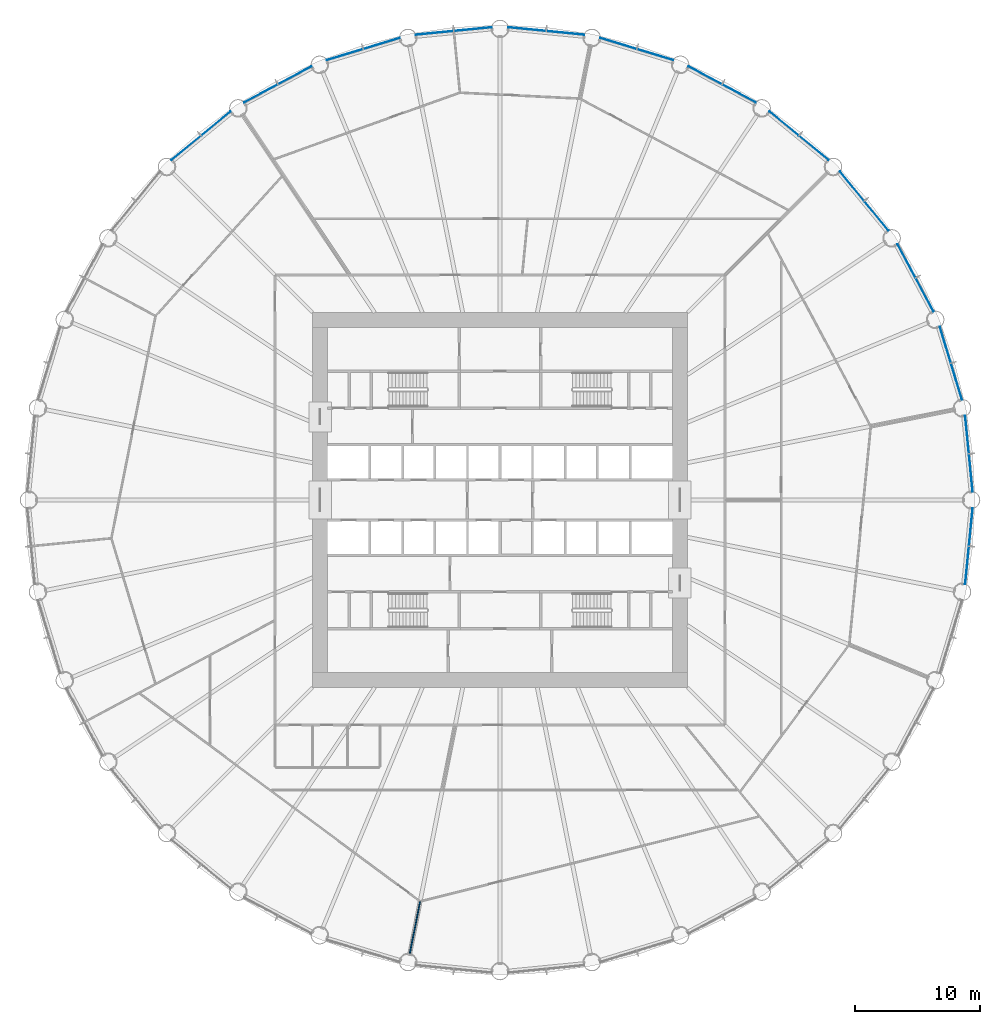
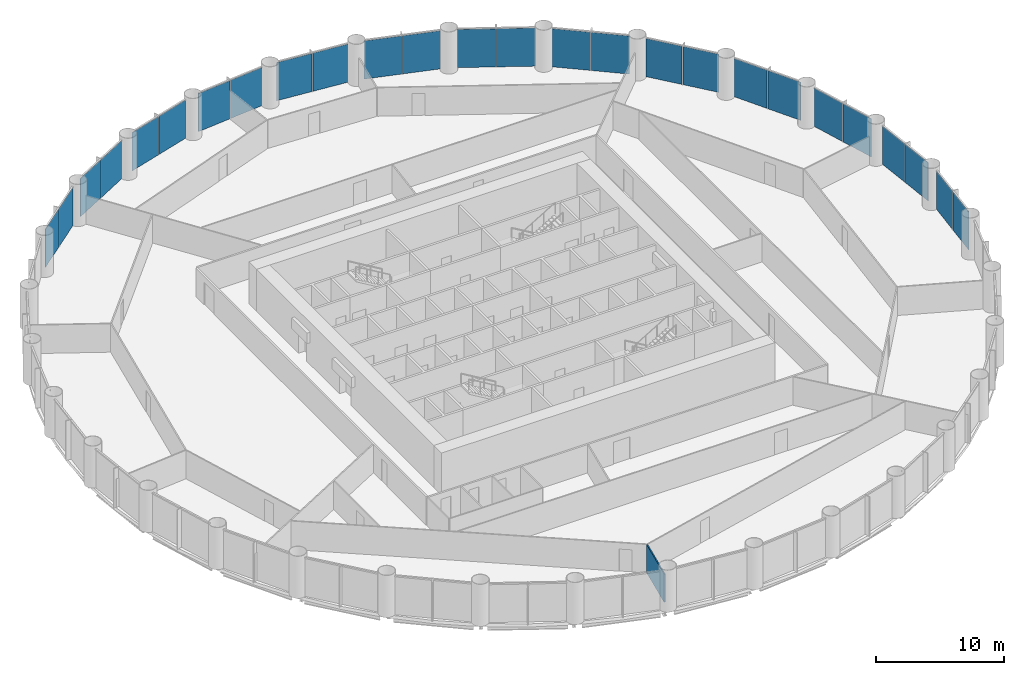
# One storey, part 9 of 15: 26 plates, 1 wall, 13 elements without a shape of their own.
"""IFC4 building model written with IfcOpenShell, lengths in metres."""

from ifc_helpers import new_model, si_unit, direction, frame, frame_2d, origin, origin_2d, place, context, subcontext, project, spatial, rectangle, extrude, material, layer, layer_set, type_object, element, aggregate, save


model = new_model("IFC4")

# Units and contexts
model_context = context("Model", 3, precision=1e-05, world=origin(), true_north=direction((0.0, 1.0)))
body_context = subcontext(model_context, "Body", "Model", "MODEL_VIEW")
ifc_project = project(units=[si_unit("LENGTHUNIT", "METRE"), si_unit("AREAUNIT", "SQUARE_METRE"), si_unit("VOLUMEUNIT", "CUBIC_METRE"), si_unit("PLANEANGLEUNIT", "RADIAN"), si_unit("MASSUNIT", "GRAM", prefix="KILO")], contexts=[model_context])

# Site, building, storey
site_placement = place(None, origin())
site = spatial("IfcSite", under=ifc_project, at=site_placement, CompositionType="ELEMENT")
building_placement = place(site_placement, origin())
building = spatial("IfcBuilding", under=site, at=building_placement, Name="Corvane Civic Tower", CompositionType="ELEMENT")
storey_placement = place(building_placement, frame((0.0, 0.0, 45.0)))
storey = spatial("IfcBuildingStorey", under=building, at=storey_placement, Name="L09", CompositionType="ELEMENT", Elevation=45.0)

# Curtain wall, plates
ifc_material_1 = material(Name="Anodised aluminium bronze", Category="aluminium")
curtain_wall_type = type_object("IfcCurtainWallType", Name="TOWER CW-T1 STICK CURTAIN WALL", PredefinedType="NOTDEFINED", material=ifc_material_1)
curtain_wall_1_placement = place(storey_placement, origin())
curtain_wall_1 = element("IfcCurtainWall", 1, at=curtain_wall_1_placement, inside=storey, type_object=curtain_wall_type, Name="Curtain wall CW-T1 L09 bay 01", PredefinedType="NOTDEFINED")
ifc_material_2 = material(Name="Tinted glass", Category="glass")
ifc_layer_1 = layer(ifc_material_2, 0.035888671875)
ifc_layer_set_1 = layer_set([ifc_layer_1], Name="Tinted glass")
plate_type = type_object("IfcPlateType", Name="TOWER CW-T1 PANEL IGU36", PredefinedType="CURTAIN_PANEL", material=ifc_layer_set_1)
plate_1_placement = place(storey_placement, frame((2.158203125, 37.667236328125, 0.0), z_axis=(0.0, 0.0, 1.0), x_axis=(0.995185800248, -0.098006239521, 0.0)))
plate_1 = element("IfcPlate", 2, at=plate_1_placement, type_object=plate_type, Name="Glass panel CW-T1 L09 01.1", PredefinedType="CURTAIN_PANEL", context=body_context, shape_type="SweptSolid", body=[
    extrude(rectangle(XDim=3.008544921875, YDim=0.035888671875, at=origin_2d()), origin(), (0.0, 0.0, 1.0), 3.6298828125),
])
plate_2_placement = place(storey_placement, frame((5.23193359375, 37.36474609375, 0.0), z_axis=(0.0, 0.0, 1.0), x_axis=(0.995185800248, -0.098006239521, 0.0)))
plate_2 = element("IfcPlate", 3, at=plate_2_placement, type_object=plate_type, Name="Glass panel CW-T1 L09 01.2", PredefinedType="CURTAIN_PANEL", context=body_context, shape_type="SweptSolid", body=[
    extrude(rectangle(XDim=3.008544921875, YDim=0.035888671875, at=origin_2d()), origin(), (0.0, 0.0, 1.0), 3.6298828125),
])
aggregate(curtain_wall_1, [plate_1, plate_2])

curtain_wall_2_placement = place(storey_placement, origin())
curtain_wall_2 = element("IfcCurtainWall", 4, at=curtain_wall_2_placement, inside=storey, type_object=curtain_wall_type, Name="Curtain wall CW-T1 L09 bay 02", PredefinedType="NOTDEFINED")
plate_3_placement = place(storey_placement, frame((9.46533203125, 36.522705078125, 0.0), z_axis=(0.0, 0.0, 1.0), x_axis=(0.956942240606, -0.290278397654, 0.0)))
plate_3 = element("IfcPlate", 5, at=plate_3_placement, type_object=plate_type, Name="Glass panel CW-T1 L09 02.1", PredefinedType="CURTAIN_PANEL", context=body_context, shape_type="SweptSolid", body=[
    extrude(rectangle(XDim=3.008544921875, YDim=0.035888671875, at=origin_2d()), origin(), (0.0, 0.0, 1.0), 3.6298828125),
])
plate_4_placement = place(storey_placement, frame((12.4208984375, 35.6259765625, 0.0), z_axis=(0.0, 0.0, 1.0), x_axis=(0.956942240606, -0.290278397654, 0.0)))
plate_4 = element("IfcPlate", 6, at=plate_4_placement, type_object=plate_type, Name="Glass panel CW-T1 L09 02.2", PredefinedType="CURTAIN_PANEL", context=body_context, shape_type="SweptSolid", body=[
    extrude(rectangle(XDim=3.008544921875, YDim=0.035888671875, at=origin_2d()), origin(), (0.0, 0.0, 1.0), 3.6298828125),
])
aggregate(curtain_wall_2, [plate_3, plate_4])

curtain_wall_3_placement = place(storey_placement, origin())
curtain_wall_3 = element("IfcCurtainWall", 7, at=curtain_wall_3_placement, inside=storey, type_object=curtain_wall_type, Name="Curtain wall CW-T1 L09 bay 03", PredefinedType="NOTDEFINED")
plate_5_placement = place(storey_placement, frame((16.40869140625, 33.974365234375, 0.0), z_axis=(0.0, 0.0, 1.0), x_axis=(0.881917528864, -0.471403725359, 0.0)))
plate_5 = element("IfcPlate", 8, at=plate_5_placement, type_object=plate_type, Name="Glass panel CW-T1 L09 03.1", PredefinedType="CURTAIN_PANEL", context=body_context, shape_type="SweptSolid", body=[
    extrude(rectangle(XDim=3.008544921875, YDim=0.035888671875, at=origin_2d()), origin(), (0.0, 0.0, 1.0), 3.6298828125),
])
plate_6_placement = place(storey_placement, frame((19.132568359375, 32.518310546875, 0.0), z_axis=(0.0, 0.0, 1.0), x_axis=(0.881917528864, -0.471403725359, 0.0)))
plate_6 = element("IfcPlate", 9, at=plate_6_placement, type_object=plate_type, Name="Glass panel CW-T1 L09 03.2", PredefinedType="CURTAIN_PANEL", context=body_context, shape_type="SweptSolid", body=[
    extrude(rectangle(XDim=3.008544921875, YDim=0.035888671875, at=origin_2d()), origin(), (0.0, 0.0, 1.0), 3.6298828125),
])
aggregate(curtain_wall_3, [plate_5, plate_6])

curtain_wall_4_placement = place(storey_placement, origin())
curtain_wall_4 = element("IfcCurtainWall", 10, at=curtain_wall_4_placement, inside=storey, type_object=curtain_wall_type, Name="Curtain wall CW-T1 L09 bay 04", PredefinedType="NOTDEFINED")
plate_7_placement = place(storey_placement, frame((22.721435546875, 30.120361328125, 0.0), z_axis=(0.0, 0.0, 1.0), x_axis=(0.773007224463, -0.634397218569, 0.0)))
plate_7 = element("IfcPlate", 11, at=plate_7_placement, type_object=plate_type, Name="Glass panel CW-T1 L09 04.1", PredefinedType="CURTAIN_PANEL", context=body_context, shape_type="SweptSolid", body=[
    extrude(rectangle(XDim=3.008544921875, YDim=0.035888671875, at=origin_2d()), origin(), (0.0, 0.0, 1.0), 3.6298828125),
])
plate_8_placement = place(storey_placement, frame((25.10888671875, 28.160888671875, 0.0), z_axis=(0.0, 0.0, 1.0), x_axis=(0.773007224463, -0.634397218569, 0.0)))
plate_8 = element("IfcPlate", 12, at=plate_8_placement, type_object=plate_type, Name="Glass panel CW-T1 L09 04.2", PredefinedType="CURTAIN_PANEL", context=body_context, shape_type="SweptSolid", body=[
    extrude(rectangle(XDim=3.008544921875, YDim=0.035888671875, at=origin_2d()), origin(), (0.0, 0.0, 1.0), 3.6298828125),
])
aggregate(curtain_wall_4, [plate_7, plate_8])

curtain_wall_5_placement = place(storey_placement, origin())
curtain_wall_5 = element("IfcCurtainWall", 13, at=curtain_wall_5_placement, inside=storey, type_object=curtain_wall_type, Name="Curtain wall CW-T1 L09 bay 05", PredefinedType="NOTDEFINED")
plate_9_placement = place(storey_placement, frame((28.160888671875, 25.10888671875, 0.0), z_axis=(0.0, 0.0, 1.0), x_axis=(0.634397218569, -0.773007224463, 0.0)))
plate_9 = element("IfcPlate", 14, at=plate_9_placement, type_object=plate_type, Name="Glass panel CW-T1 L09 05.1", PredefinedType="CURTAIN_PANEL", context=body_context, shape_type="SweptSolid", body=[
    extrude(rectangle(XDim=3.008544921875, YDim=0.035888671875, at=origin_2d()), origin(), (0.0, 0.0, 1.0), 3.6298828125),
])
plate_10_placement = place(storey_placement, frame((30.120361328125, 22.721435546875, 0.0), z_axis=(0.0, 0.0, 1.0), x_axis=(0.634397218569, -0.773007224463, 0.0)))
plate_10 = element("IfcPlate", 15, at=plate_10_placement, type_object=plate_type, Name="Glass panel CW-T1 L09 05.2", PredefinedType="CURTAIN_PANEL", context=body_context, shape_type="SweptSolid", body=[
    extrude(rectangle(XDim=3.008544921875, YDim=0.035888671875, at=origin_2d()), origin(), (0.0, 0.0, 1.0), 3.6298828125),
])
aggregate(curtain_wall_5, [plate_9, plate_10])

curtain_wall_6_placement = place(storey_placement, origin())
curtain_wall_6 = element("IfcCurtainWall", 16, at=curtain_wall_6_placement, inside=storey, type_object=curtain_wall_type, Name="Curtain wall CW-T1 L09 bay 06", PredefinedType="NOTDEFINED")
plate_11_placement = place(storey_placement, frame((32.518310546875, 19.132568359375, 0.0), z_axis=(0.0, 0.0, 1.0), x_axis=(0.471403725359, -0.881917528864, 0.0)))
plate_11 = element("IfcPlate", 17, at=plate_11_placement, type_object=plate_type, Name="Glass panel CW-T1 L09 06.1", PredefinedType="CURTAIN_PANEL", context=body_context, shape_type="SweptSolid", body=[
    extrude(rectangle(XDim=3.008544921875, YDim=0.035888671875, at=origin_2d()), origin(), (0.0, 0.0, 1.0), 3.6298828125),
])
plate_12_placement = place(storey_placement, frame((33.974365234375, 16.40869140625, 0.0), z_axis=(0.0, 0.0, 1.0), x_axis=(0.471403725359, -0.881917528864, 0.0)))
plate_12 = element("IfcPlate", 18, at=plate_12_placement, type_object=plate_type, Name="Glass panel CW-T1 L09 06.2", PredefinedType="CURTAIN_PANEL", context=body_context, shape_type="SweptSolid", body=[
    extrude(rectangle(XDim=3.008544921875, YDim=0.035888671875, at=origin_2d()), origin(), (0.0, 0.0, 1.0), 3.6298828125),
])
aggregate(curtain_wall_6, [plate_11, plate_12])

curtain_wall_7_placement = place(storey_placement, origin())
curtain_wall_7 = element("IfcCurtainWall", 19, at=curtain_wall_7_placement, inside=storey, type_object=curtain_wall_type, Name="Curtain wall CW-T1 L09 bay 07", PredefinedType="NOTDEFINED")
plate_13_placement = place(storey_placement, frame((35.6259765625, 12.4208984375, 0.0), z_axis=(0.0, 0.0, 1.0), x_axis=(0.290278397654, -0.956942240606, 0.0)))
plate_13 = element("IfcPlate", 20, at=plate_13_placement, type_object=plate_type, Name="Glass panel CW-T1 L09 07.1", PredefinedType="CURTAIN_PANEL", context=body_context, shape_type="SweptSolid", body=[
    extrude(rectangle(XDim=3.008544921875, YDim=0.035888671875, at=origin_2d()), origin(), (0.0, 0.0, 1.0), 3.6298828125),
])
plate_14_placement = place(storey_placement, frame((36.522705078125, 9.46533203125, 0.0), z_axis=(0.0, 0.0, 1.0), x_axis=(0.290278397654, -0.956942240606, 0.0)))
plate_14 = element("IfcPlate", 21, at=plate_14_placement, type_object=plate_type, Name="Glass panel CW-T1 L09 07.2", PredefinedType="CURTAIN_PANEL", context=body_context, shape_type="SweptSolid", body=[
    extrude(rectangle(XDim=3.008544921875, YDim=0.035888671875, at=origin_2d()), origin(), (0.0, 0.0, 1.0), 3.6298828125),
])
aggregate(curtain_wall_7, [plate_13, plate_14])

curtain_wall_8_placement = place(storey_placement, origin())
curtain_wall_8 = element("IfcCurtainWall", 22, at=curtain_wall_8_placement, inside=storey, type_object=curtain_wall_type, Name="Curtain wall CW-T1 L09 bay 08", PredefinedType="NOTDEFINED")
plate_15_placement = place(storey_placement, frame((37.36474609375, 5.23193359375, 0.0), z_axis=(0.0, 0.0, 1.0), x_axis=(0.098006239521, -0.995185800248, 0.0)))
plate_15 = element("IfcPlate", 23, at=plate_15_placement, type_object=plate_type, Name="Glass panel CW-T1 L09 08.1", PredefinedType="CURTAIN_PANEL", context=body_context, shape_type="SweptSolid", body=[
    extrude(rectangle(XDim=3.008544921875, YDim=0.035888671875, at=origin_2d()), origin(), (0.0, 0.0, 1.0), 3.6298828125),
])
plate_16_placement = place(storey_placement, frame((37.667236328125, 2.158203125, 0.0), z_axis=(0.0, 0.0, 1.0), x_axis=(0.098006239521, -0.995185800248, 0.0)))
plate_16 = element("IfcPlate", 24, at=plate_16_placement, type_object=plate_type, Name="Glass panel CW-T1 L09 08.2", PredefinedType="CURTAIN_PANEL", context=body_context, shape_type="SweptSolid", body=[
    extrude(rectangle(XDim=3.008544921875, YDim=0.035888671875, at=origin_2d()), origin(), (0.0, 0.0, 1.0), 3.6298828125),
])
aggregate(curtain_wall_8, [plate_15, plate_16])

curtain_wall_9_placement = place(storey_placement, origin())
curtain_wall_9 = element("IfcCurtainWall", 25, at=curtain_wall_9_placement, inside=storey, type_object=curtain_wall_type, Name="Curtain wall CW-T1 L09 bay 09", PredefinedType="NOTDEFINED")
plate_17_placement = place(storey_placement, frame((37.667236328125, -2.158203125, 0.0), z_axis=(0.0, 0.0, 1.0), x_axis=(-0.098006239521, -0.995185800248, 0.0)))
plate_17 = element("IfcPlate", 26, at=plate_17_placement, type_object=plate_type, Name="Glass panel CW-T1 L09 09.1", PredefinedType="CURTAIN_PANEL", context=body_context, shape_type="SweptSolid", body=[
    extrude(rectangle(XDim=3.008544921875, YDim=0.035888671875, at=origin_2d()), origin(), (0.0, 0.0, 1.0), 3.6298828125),
])
plate_18_placement = place(storey_placement, frame((37.36474609375, -5.23193359375, 0.0), z_axis=(0.0, 0.0, 1.0), x_axis=(-0.098006239521, -0.995185800248, 0.0)))
plate_18 = element("IfcPlate", 27, at=plate_18_placement, type_object=plate_type, Name="Glass panel CW-T1 L09 09.2", PredefinedType="CURTAIN_PANEL", context=body_context, shape_type="SweptSolid", body=[
    extrude(rectangle(XDim=3.008544921875, YDim=0.035888671875, at=origin_2d()), origin(), (0.0, 0.0, 1.0), 3.6298828125),
])
aggregate(curtain_wall_9, [plate_17, plate_18])

curtain_wall_10_placement = place(storey_placement, origin())
curtain_wall_10 = element("IfcCurtainWall", 28, at=curtain_wall_10_placement, inside=storey, type_object=curtain_wall_type, Name="Curtain wall CW-T1 L09 bay 29", PredefinedType="NOTDEFINED")
plate_19_placement = place(storey_placement, frame((-25.10888671875, 28.160888671875, 0.0), z_axis=(0.0, 0.0, 1.0), x_axis=(0.773007224463, 0.634397218569, 0.0)))
plate_19 = element("IfcPlate", 29, at=plate_19_placement, type_object=plate_type, Name="Glass panel CW-T1 L09 29.1", PredefinedType="CURTAIN_PANEL", context=body_context, shape_type="SweptSolid", body=[
    extrude(rectangle(XDim=3.008544921875, YDim=0.035888671875, at=origin_2d()), origin(), (0.0, 0.0, 1.0), 3.6298828125),
])
plate_20_placement = place(storey_placement, frame((-22.721435546875, 30.120361328125, 0.0), z_axis=(0.0, 0.0, 1.0), x_axis=(0.773007224463, 0.634397218569, 0.0)))
plate_20 = element("IfcPlate", 30, at=plate_20_placement, type_object=plate_type, Name="Glass panel CW-T1 L09 29.2", PredefinedType="CURTAIN_PANEL", context=body_context, shape_type="SweptSolid", body=[
    extrude(rectangle(XDim=3.008544921875, YDim=0.035888671875, at=origin_2d()), origin(), (0.0, 0.0, 1.0), 3.6298828125),
])
aggregate(curtain_wall_10, [plate_19, plate_20])

curtain_wall_11_placement = place(storey_placement, origin())
curtain_wall_11 = element("IfcCurtainWall", 31, at=curtain_wall_11_placement, inside=storey, type_object=curtain_wall_type, Name="Curtain wall CW-T1 L09 bay 30", PredefinedType="NOTDEFINED")
plate_21_placement = place(storey_placement, frame((-19.132568359375, 32.518310546875, 0.0), z_axis=(0.0, 0.0, 1.0), x_axis=(0.881917528864, 0.471403725359, 0.0)))
plate_21 = element("IfcPlate", 32, at=plate_21_placement, type_object=plate_type, Name="Glass panel CW-T1 L09 30.1", PredefinedType="CURTAIN_PANEL", context=body_context, shape_type="SweptSolid", body=[
    extrude(rectangle(XDim=3.008544921875, YDim=0.035888671875, at=origin_2d()), origin(), (0.0, 0.0, 1.0), 3.6298828125),
])
plate_22_placement = place(storey_placement, frame((-16.40869140625, 33.974365234375, 0.0), z_axis=(0.0, 0.0, 1.0), x_axis=(0.881917528864, 0.471403725359, 0.0)))
plate_22 = element("IfcPlate", 33, at=plate_22_placement, type_object=plate_type, Name="Glass panel CW-T1 L09 30.2", PredefinedType="CURTAIN_PANEL", context=body_context, shape_type="SweptSolid", body=[
    extrude(rectangle(XDim=3.008544921875, YDim=0.035888671875, at=origin_2d()), origin(), (0.0, 0.0, 1.0), 3.6298828125),
])
aggregate(curtain_wall_11, [plate_21, plate_22])

curtain_wall_12_placement = place(storey_placement, origin())
curtain_wall_12 = element("IfcCurtainWall", 34, at=curtain_wall_12_placement, inside=storey, type_object=curtain_wall_type, Name="Curtain wall CW-T1 L09 bay 31", PredefinedType="NOTDEFINED")
plate_23_placement = place(storey_placement, frame((-12.4208984375, 35.6259765625, 0.0), z_axis=(0.0, 0.0, 1.0), x_axis=(0.956942240606, 0.290278397654, 0.0)))
plate_23 = element("IfcPlate", 35, at=plate_23_placement, type_object=plate_type, Name="Glass panel CW-T1 L09 31.1", PredefinedType="CURTAIN_PANEL", context=body_context, shape_type="SweptSolid", body=[
    extrude(rectangle(XDim=3.008544921875, YDim=0.035888671875, at=origin_2d()), origin(), (0.0, 0.0, 1.0), 3.6298828125),
])
plate_24_placement = place(storey_placement, frame((-9.46533203125, 36.522705078125, 0.0), z_axis=(0.0, 0.0, 1.0), x_axis=(0.956942240606, 0.290278397654, 0.0)))
plate_24 = element("IfcPlate", 36, at=plate_24_placement, type_object=plate_type, Name="Glass panel CW-T1 L09 31.2", PredefinedType="CURTAIN_PANEL", context=body_context, shape_type="SweptSolid", body=[
    extrude(rectangle(XDim=3.008544921875, YDim=0.035888671875, at=origin_2d()), origin(), (0.0, 0.0, 1.0), 3.6298828125),
])
aggregate(curtain_wall_12, [plate_23, plate_24])

curtain_wall_13_placement = place(storey_placement, origin())
curtain_wall_13 = element("IfcCurtainWall", 37, at=curtain_wall_13_placement, inside=storey, type_object=curtain_wall_type, Name="Curtain wall CW-T1 L09 bay 32", PredefinedType="NOTDEFINED")
plate_25_placement = place(storey_placement, frame((-5.23193359375, 37.36474609375, 0.0), z_axis=(0.0, 0.0, 1.0), x_axis=(0.995185800248, 0.098006239521, 0.0)))
plate_25 = element("IfcPlate", 38, at=plate_25_placement, type_object=plate_type, Name="Glass panel CW-T1 L09 32.1", PredefinedType="CURTAIN_PANEL", context=body_context, shape_type="SweptSolid", body=[
    extrude(rectangle(XDim=3.008544921875, YDim=0.035888671875, at=origin_2d()), origin(), (0.0, 0.0, 1.0), 3.6298828125),
])
plate_26_placement = place(storey_placement, frame((-2.158203125, 37.667236328125, 0.0), z_axis=(0.0, 0.0, 1.0), x_axis=(0.995185800248, 0.098006239521, 0.0)))
plate_26 = element("IfcPlate", 39, at=plate_26_placement, type_object=plate_type, Name="Glass panel CW-T1 L09 32.2", PredefinedType="CURTAIN_PANEL", context=body_context, shape_type="SweptSolid", body=[
    extrude(rectangle(XDim=3.008544921875, YDim=0.035888671875, at=origin_2d()), origin(), (0.0, 0.0, 1.0), 3.6298828125),
])
aggregate(curtain_wall_13, [plate_25, plate_26])

# Wall
ifc_material_3 = material(Name="Plasterboard")
ifc_layer_2 = layer(ifc_material_3, 0.10009765625)
ifc_layer_set_2 = layer_set([ifc_layer_2], Name="Plasterboard")
wall_type = type_object("IfcWallType", Name="Partition 100 plasterboard on studs", PredefinedType="PARTITIONING", material=ifc_layer_set_2)
wall_placement = place(storey_placement, frame((-7.21630859375, -36.279296875, 0.0), z_axis=(0.0, 0.0, 1.0), x_axis=(0.195057644568, 0.980791779786, 0.0)))
element("IfcWall", 40, at=wall_placement, inside=storey, type_object=wall_type, Name="Partition L09.001", PredefinedType="PARTITIONING", context=body_context, shape_type="SweptSolid", body=[
    extrude(rectangle(XDim=4.21435546875, YDim=0.10009765625, at=frame_2d((2.107177734375, 0.0))), origin(), (0.0, 0.0, 1.0), 2.699951171875),
])

save(model, "model.ifc")
